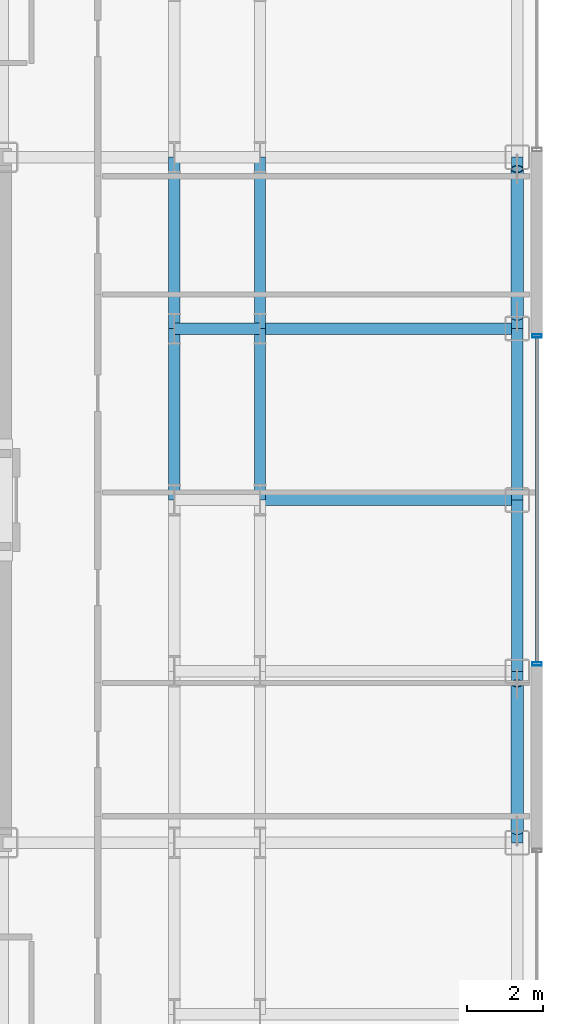
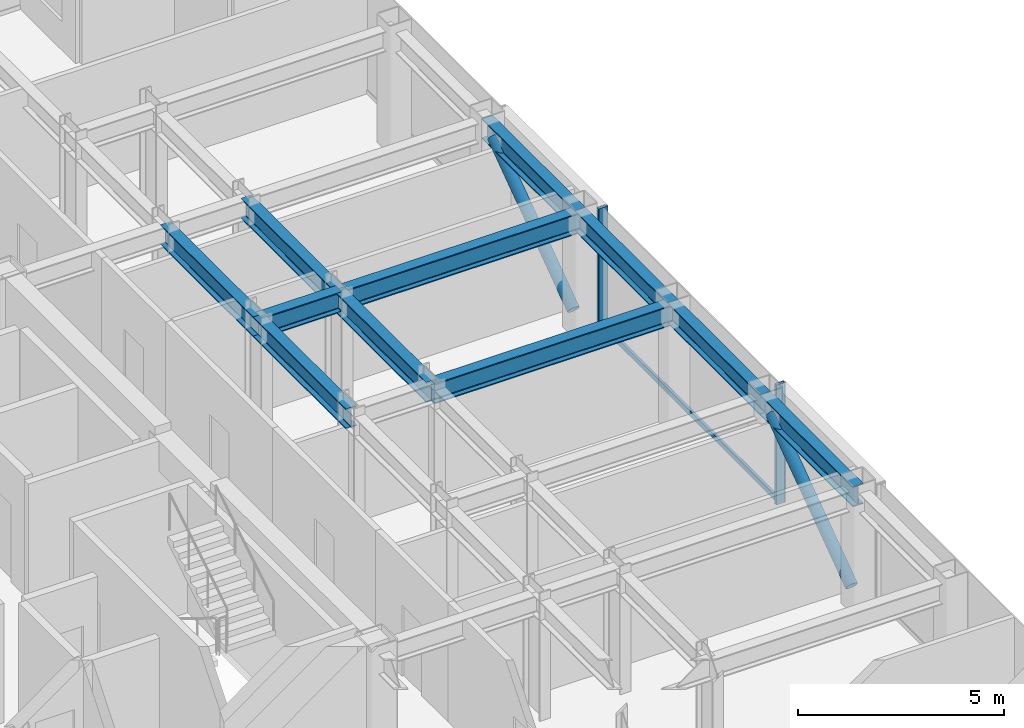
# One storey, part 8 of 22: 11 beams, 5 members, 1 element without a shape of its own.
"""IFC4 building model written with IfcOpenShell, lengths in metres."""

import ifcopenshell
import ifcopenshell.guid

model = None  # the IFC model being written
_history = None  # IfcOwnerHistory: only IFC2X3 demands one
_inside = {}  # id of a spatial element -> (the spatial element, [elements in it])
_under = {}  # id of a project, library or spatial element -> (it, [spatial elements below it])
_declared = {}  # id of a project -> (the project, [libraries it declares])
_typed = {}  # id of a type object -> (the type object, [elements of that type])
_made_of = {}  # id of a material, layer set ... -> (it, [elements and type objects made of it])


def new_model(schema):
    """Start an empty IFC model of exactly this schema.

    Asked for "IFC4X3", IfcOpenShell would pick the latest addendum, in which some entities
    have other attributes; the version numbers below select the first issue.
    IFC2X3 requires an IfcOwnerHistory on every rooted entity: one is made here for all.
    """
    global model, _history
    if schema == "IFC4X3":
        model = ifcopenshell.file(schema_version=(4, 3, 0, 0))
    else:
        model = ifcopenshell.file(schema=schema)
    _inside.clear()
    _under.clear()
    _declared.clear()
    _typed.clear()
    _made_of.clear()
    _history = None
    if model.schema == "IFC2X3":
        org = make("IfcOrganization", Name="unknown")
        user = make(
            "IfcPersonAndOrganization",
            ThePerson=make("IfcPerson", FamilyName="unknown"),
            TheOrganization=org,
        )
        app = make(
            "IfcApplication",
            ApplicationDeveloper=org,
            Version="unknown",
            ApplicationFullName="unknown",
            ApplicationIdentifier="unknown",
        )
        _history = make(
            "IfcOwnerHistory",
            OwningUser=user,
            OwningApplication=app,
            ChangeAction="ADDED",
            CreationDate=0,
        )
    return model


def make(cls, **values):
    """One entity of the class cls with the attributes given. An attribute that is None is left unset."""
    return model.create_entity(
        cls, **{name: value for name, value in values.items() if value is not None}
    )


def rooted(cls, **values):
    """An entity with a GlobalId (a new one), such as an element, a storey or a relation."""
    return make(cls, GlobalId=ifcopenshell.guid.new(), OwnerHistory=_history, **values)


def si_unit(unit_type, name, prefix=None):
    """IfcSIUnit, for example si_unit("LENGTHUNIT", "METRE", prefix="MILLI")."""
    return make("IfcSIUnit", UnitType=unit_type, Prefix=prefix, Name=name)


def assignment(units):
    """IfcUnitAssignment: the units of a project."""
    return None if units is None else make("IfcUnitAssignment", Units=units)


def point(xyz):
    """IfcCartesianPoint."""
    return None if xyz is None else make("IfcCartesianPoint", Coordinates=xyz)


def direction(xyz):
    """IfcDirection."""
    return None if xyz is None else make("IfcDirection", DirectionRatios=xyz)


def frame(location, z_axis=None, x_axis=None):
    """IfcAxis2Placement3D, a coordinate frame: its origin and axes. An axis left out is left unset."""
    return make(
        "IfcAxis2Placement3D",
        Location=point(location),
        Axis=direction(z_axis),
        RefDirection=direction(x_axis),
    )


def frame_2d(location, x_axis=None):
    """IfcAxis2Placement2D, a coordinate frame in the plane: its origin and x axis."""
    return make(
        "IfcAxis2Placement2D", Location=point(location), RefDirection=direction(x_axis)
    )


def origin():
    """The frame at (0, 0, 0) with its axes left unset."""
    return frame((0.0, 0.0, 0.0))


def origin_2d():
    """The frame at (0, 0) in the plane with its x axis left unset."""
    return frame_2d((0.0, 0.0))


def place(relative_to, where):
    """IfcLocalPlacement: puts the frame where relative to a parent placement (None: the world)."""
    return make(
        "IfcLocalPlacement", PlacementRelTo=relative_to, RelativePlacement=where
    )


def context(
    kind, dimensions, precision=None, world=None, true_north=None, identifier=None
):
    """IfcGeometricRepresentationContext, for example the 3D "Model" context."""
    return make(
        "IfcGeometricRepresentationContext",
        ContextIdentifier=identifier,
        ContextType=kind,
        CoordinateSpaceDimension=dimensions,
        Precision=precision,
        WorldCoordinateSystem=world,
        TrueNorth=true_north,
    )


def subcontext(parent, identifier, kind, view, scale=None):
    """IfcGeometricRepresentationSubContext, for example "Body" below "Model"."""
    return make(
        "IfcGeometricRepresentationSubContext",
        ContextIdentifier=identifier,
        ContextType=kind,
        ParentContext=parent,
        TargetScale=scale,
        TargetView=view,
    )


def project(units=None, contexts=None):
    """IfcProject with its units and contexts."""
    return rooted(
        "IfcProject",
        Name="project",
        RepresentationContexts=contexts,
        UnitsInContext=assignment(units),
    )


def spatial(cls, under=None, at=None, **own):
    """A site, building, storey or space (cls), placed at a placement, below another one or the project."""
    s = rooted(cls, ObjectPlacement=at, **own)
    if under is not None:
        _under.setdefault(under.id(), (under, []))[1].append(s)
    return s


def profile(cls, at=None, kind="AREA", **sizes):
    """A parametric profile (cls). Its sizes go by their IFC names, for example OverallWidth=200.0."""
    return make(cls, ProfileType=kind, Position=at, **sizes)


def hollow_rectangle(**sizes):
    """IfcRectangleHollowProfileDef."""
    return profile("IfcRectangleHollowProfileDef", **sizes)


def hollow_circle(**sizes):
    """IfcCircleHollowProfileDef."""
    return profile("IfcCircleHollowProfileDef", **sizes)


def i_section(**sizes):
    """IfcIShapeProfileDef."""
    return profile("IfcIShapeProfileDef", **sizes)


def extrude(swept, where, along, depth):
    """IfcExtrudedAreaSolid: the profile swept, set in the frame where, extruded along a direction by depth."""
    return make(
        "IfcExtrudedAreaSolid",
        SweptArea=swept,
        Position=where,
        ExtrudedDirection=direction(along),
        Depth=depth,
    )


def shape(context_of_items, identifier, shape_type, items):
    """IfcShapeRepresentation: the items that make up one representation, for example the "Body"."""
    return make(
        "IfcShapeRepresentation",
        ContextOfItems=context_of_items,
        RepresentationIdentifier=identifier,
        RepresentationType=shape_type,
        Items=items,
    )


def source(mapping_origin, context_of_items, identifier, shape_type, items):
    """IfcRepresentationMap: a shape defined once, which mapped items show again and again."""
    return make(
        "IfcRepresentationMap",
        MappingOrigin=mapping_origin,
        MappedRepresentation=shape(context_of_items, identifier, shape_type, items),
    )


def transform(
    local_origin,
    x_axis=None,
    y_axis=None,
    z_axis=None,
    scale=None,
    scale2=None,
    scale3=None,
    uniform=True,
):
    """IfcCartesianTransformationOperator3D, or its non-uniform kind. x_axis, y_axis, z_axis: its Axis1, 2, 3."""
    if uniform:
        return make(
            "IfcCartesianTransformationOperator3D",
            Axis1=direction(x_axis),
            Axis2=direction(y_axis),
            LocalOrigin=point(local_origin),
            Scale=scale,
            Axis3=direction(z_axis),
        )
    return make(
        "IfcCartesianTransformationOperator3DnonUniform",
        Axis1=direction(x_axis),
        Axis2=direction(y_axis),
        LocalOrigin=point(local_origin),
        Scale=scale,
        Axis3=direction(z_axis),
        Scale2=scale2,
        Scale3=scale3,
    )


def mapped(mapping_source, mapping_target):
    """IfcMappedItem: shows the shape of a source again, moved by a transform."""
    return make(
        "IfcMappedItem", MappingSource=mapping_source, MappingTarget=mapping_target
    )


def material(Name=None, Category=None):
    """IfcMaterial."""
    return make("IfcMaterial", Name=Name, Category=Category)


def layer(
    of_material, thickness, ventilated=None, Name=None, Category=None, Priority=None
):
    """IfcMaterialLayer: one layer of a wall or slab, of a material (None: an air gap)."""
    return make(
        "IfcMaterialLayer",
        Material=of_material,
        LayerThickness=thickness,
        IsVentilated=ventilated,
        Name=Name,
        Category=Category,
        Priority=Priority,
    )


def layer_set(layers, Name=None):
    """IfcMaterialLayerSet."""
    return make("IfcMaterialLayerSet", MaterialLayers=layers, LayerSetName=Name)


def material_profile(
    of_material, cross_section, Name=None, Category=None, Priority=None
):
    """IfcMaterialProfile: a cross section and its material."""
    return make(
        "IfcMaterialProfile",
        Name=Name,
        Material=of_material,
        Profile=cross_section,
        Priority=Priority,
        Category=Category,
    )


def profile_set(profiles, Name=None, composite=None):
    """IfcMaterialProfileSet."""
    return make(
        "IfcMaterialProfileSet",
        Name=Name,
        MaterialProfiles=profiles,
        CompositeProfile=composite,
    )


def made_of(thing, what):
    """Note that an element or type object is made of a material, layer set ...; save() writes the relation."""
    if what is not None:
        _made_of.setdefault(what.id(), (what, []))[1].append(thing)
    return thing


def type_object(cls, material=None, **own):
    """A type object (cls), such as IfcWallType, which elements share."""
    return made_of(rooted(cls, **own), material)


def element(
    cls,
    number,
    at=None,
    inside=None,
    cuts=None,
    type_object=None,
    material=None,
    context=None,
    identifier="Body",
    shape_type=None,
    held_by="IfcProductDefinitionShape",
    body=None,
    shapes=None,
    **own,
):
    """One element of the class cls, such as IfcWall. Its Tag is "e" and its number.

    at: its placement. inside: the storey or other place that contains it. cuts: it is an
    opening in that element (IfcRelVoidsElement). A single representation is given by context,
    identifier, shape_type and body (its items); several are given by shapes. held_by: the class
    of the entity that holds the representations. save() writes the other relations.
    """
    e = rooted(cls, Tag="e%d" % number, ObjectPlacement=at, **own)
    if body is not None:
        shapes = [shape(context, identifier, shape_type, body)]
    if shapes is not None:
        e.Representation = make(held_by, Representations=shapes)
    if inside is not None:
        _inside.setdefault(inside.id(), (inside, []))[1].append(e)
    if cuts is not None:
        rooted(
            "IfcRelVoidsElement", RelatingBuildingElement=cuts, RelatedOpeningElement=e
        )
    if type_object is not None:
        _typed.setdefault(type_object.id(), (type_object, []))[1].append(e)
    return made_of(e, material)


def aggregate(whole, parts):
    """IfcRelAggregates: a whole, such as a stair, and the parts it consists of."""
    return rooted("IfcRelAggregates", RelatingObject=whole, RelatedObjects=parts)


def save(model, path):
    """Write the relations noted so far, then the file.

    IfcRelAggregates (storeys below a building ...), IfcRelContainedInSpatialStructure (elements
    in a storey), IfcRelDefinesByType, IfcRelAssociatesMaterial and IfcRelDeclares: one each for
    every whole, place, type object, material and project.
    """
    for whole, parts in _under.values():
        aggregate(whole, parts)
    for where, things in _inside.values():
        rooted(
            "IfcRelContainedInSpatialStructure",
            RelatedElements=things,
            RelatingStructure=where,
        )
    for kind, things in _typed.values():
        rooted("IfcRelDefinesByType", RelatedObjects=things, RelatingType=kind)
    for what, things in _made_of.values():
        rooted("IfcRelAssociatesMaterial", RelatedObjects=things, RelatingMaterial=what)
    for by, libraries in _declared.values():
        rooted("IfcRelDeclares", RelatingContext=by, RelatedDefinitions=libraries)
    model.write(path)


model = new_model("IFC4")

# Units and contexts
model_context = context("Model", 3, precision=1e-05, world=origin(), true_north=direction((0.0, 1.0)))
body_context = subcontext(model_context, "Body", "Model", "MODEL_VIEW")
ifc_project = project(units=[si_unit("LENGTHUNIT", "METRE"), si_unit("AREAUNIT", "SQUARE_METRE"), si_unit("VOLUMEUNIT", "CUBIC_METRE"), si_unit("PLANEANGLEUNIT", "RADIAN"), si_unit("MASSUNIT", "GRAM", prefix="KILO")], contexts=[model_context])

# Site, building, storey
site_placement = place(None, origin())
site = spatial("IfcSite", under=ifc_project, at=site_placement, CompositionType="ELEMENT")
building_placement = place(site_placement, origin())
building = spatial("IfcBuilding", under=site, at=building_placement, Name="Nefas-Gora Pilgrimage Tower", CompositionType="ELEMENT")
storey_placement = place(building_placement, frame((0.0, 0.0, 240.800048828125)))
storey = spatial("IfcBuildingStorey", under=building, at=storey_placement, Name="L60", CompositionType="ELEMENT", Elevation=240.800048828125)

# Beams
ifc_material_1 = material(Name="Steel S355", Category="steel")
ifc_material_profile_1 = material_profile(ifc_material_1, i_section(OverallWidth=0.300048828125, OverallDepth=0.60009765625, WebThickness=0.015380859375, FlangeThickness=0.030029296875, FilletRadius=0.027099609375, at=origin_2d()), Name="HEB 600")
ifc_profile_set_1 = profile_set([ifc_material_profile_1], Name="Steel S355")
beam_type_1 = type_object("IfcBeamType", Name="BM-SPN-HEB450", PredefinedType="SPANDREL", material=ifc_profile_set_1)
shared_shape_1 = source(origin(), body_context, "Body", "SweptSolid", [
    extrude(i_section(OverallWidth=0.300048828125, OverallDepth=0.60009765625, WebThickness=0.015380859375, FlangeThickness=0.030029296875, FilletRadius=0.027099609375, at=origin_2d()), origin(), (0.0, 0.0, 1.0), 4.5),
])
for number, where, z_axis, x_axis, name in (
    (1, (24.75, -9.0, 3.25), (0.0, 1.0, 0.0), (-1.0, 0.0, 0.0), "L60 SP-03 beam"),
    (2, (24.75, -4.5, 3.25), (0.0, 1.0, 0.0), (-1.0, 0.0, 0.0), "L60 SP-03 beam"),
    (3, (24.75, 0.0, 3.25), (0.0, 1.0, 0.0), (-1.0, 0.0, 0.0), "L60 SP-03 beam"),
    (4, (24.75, 4.5, 3.25), (0.0, 1.0, 0.0), (-1.0, 0.0, 0.0), "L60 SP-03 beam"),
):
    element("IfcBeam", number, at=place(storey_placement, frame(where, z_axis=z_axis, x_axis=x_axis)), inside=storey, type_object=beam_type_1, Name=name, PredefinedType="SPANDREL", context=body_context, shape_type="MappedRepresentation", body=[
        mapped(shared_shape_1, transform((0.0, 0.0, 0.0), x_axis=(1.0, 0.0, 0.0), y_axis=(0.0, 1.0, 0.0), z_axis=(0.0, 0.0, 1.0), scale=1.0)),
    ])
ifc_material_profile_2 = material_profile(ifc_material_1, i_section(OverallWidth=0.300048828125, OverallDepth=0.60009765625, WebThickness=0.015380859375, FlangeThickness=0.030029296875, FilletRadius=0.027099609375, at=origin_2d()), Name="HEB 600")
ifc_profile_set_2 = profile_set([ifc_material_profile_2], Name="Steel S355")
beam_type_2 = type_object("IfcBeamType", Name="BM-GIR-HEB600", PredefinedType="BEAM", material=ifc_profile_set_2)
shared_shape_2 = source(origin(), body_context, "Body", "SweptSolid", [
    extrude(i_section(OverallWidth=0.300048828125, OverallDepth=0.60009765625, WebThickness=0.015380859375, FlangeThickness=0.030029296875, FilletRadius=0.027099609375, at=origin_2d()), origin(), (0.0, 0.0, 1.0), 4.5),
])
for number, where, z_axis, x_axis, name in (
    (5, (15.75, 0.0, 3.25), (0.0, 1.0, 0.0), (-1.0, 0.0, 0.0), "L60 G-04 beam"),
    (6, (15.75, 4.5, 3.25), (0.0, 1.0, 0.0), (-1.0, 0.0, 0.0), "L60 G-04 beam"),
    (7, (18.0, 0.0, 3.25), (0.0, 1.0, 0.0), (-1.0, 0.0, 0.0), "L60 G-04 beam"),
    (8, (18.0, 4.5, 3.25), (0.0, 1.0, 0.0), (-1.0, 0.0, 0.0), "L60 G-04 beam"),
):
    element("IfcBeam", number, at=place(storey_placement, frame(where, z_axis=z_axis, x_axis=x_axis)), inside=storey, type_object=beam_type_2, Name=name, PredefinedType="BEAM", context=body_context, shape_type="MappedRepresentation", body=[
        mapped(shared_shape_2, transform((0.0, 0.0, 0.0), x_axis=(1.0, 0.0, 0.0), y_axis=(0.0, 1.0, 0.0), z_axis=(0.0, 0.0, 1.0), scale=1.0)),
    ])
shared_shape_3 = source(origin(), body_context, "Body", "SweptSolid", [
    extrude(i_section(OverallWidth=0.300048828125, OverallDepth=0.60009765625, WebThickness=0.015380859375, FlangeThickness=0.030029296875, FilletRadius=0.027099609375, at=origin_2d()), origin(), (0.0, 0.0, 1.0), 6.75),
])
for number, where, z_axis, x_axis, name in (
    (9, (18.0, 0.0, 3.25), (1.0, 0.0, 0.0), (0.0, 1.0, 0.0), "L60 G-04 beam"),
    (10, (18.0, 4.5, 3.25), (1.0, 0.0, 0.0), (0.0, 1.0, 0.0), "L60 G-04 beam"),
):
    element("IfcBeam", number, at=place(storey_placement, frame(where, z_axis=z_axis, x_axis=x_axis)), inside=storey, type_object=beam_type_2, Name=name, PredefinedType="BEAM", context=body_context, shape_type="MappedRepresentation", body=[
        mapped(shared_shape_3, transform((0.0, 0.0, 0.0), x_axis=(1.0, 0.0, 0.0), y_axis=(0.0, 1.0, 0.0), z_axis=(0.0, 0.0, 1.0), scale=1.0)),
    ])
shared_shape_4 = source(origin(), body_context, "Body", "SweptSolid", [
    extrude(i_section(OverallWidth=0.300048828125, OverallDepth=0.60009765625, WebThickness=0.015380859375, FlangeThickness=0.030029296875, FilletRadius=0.027099609375, at=origin_2d()), origin(), (0.0, 0.0, 1.0), 2.25),
])
beam_placement = place(storey_placement, frame((15.75, 4.5, 3.25), z_axis=(1.0, 0.0, 0.0), x_axis=(0.0, 1.0, 0.0)))
element("IfcBeam", 11, at=beam_placement, inside=storey, type_object=beam_type_2, Name="L60 G-04 beam", PredefinedType="BEAM", context=body_context, shape_type="MappedRepresentation", body=[
    mapped(shared_shape_4, transform((0.0, 0.0, 0.0), x_axis=(1.0, 0.0, 0.0), y_axis=(0.0, 1.0, 0.0), z_axis=(0.0, 0.0, 1.0), scale=1.0)),
])

# Members
ifc_material_profile_3 = material_profile(ifc_material_1, hollow_circle(Radius=0.161865234375, WallThickness=0.02001953125, at=origin_2d()), Name="CHS 323.9x20")
ifc_profile_set_3 = profile_set([ifc_material_profile_3], Name="Steel S355")
member_type_1 = type_object("IfcMemberType", Name="MEM-TUBE-324", PredefinedType="BRACE", material=ifc_profile_set_3)
shared_shape_5 = source(origin(), body_context, "Body", "SweptSolid", [
    extrude(hollow_circle(Radius=0.161865234375, WallThickness=0.02001953125, at=origin_2d()), origin(), (0.0, 0.0, 1.0), 4.763671875),
])
for number, where, z_axis, x_axis, name in (
    (12, (24.75, -8.68701171875, 0.3740234375), (0.0, 0.813255312614, 0.581907034246), (-1.0, 0.0, 0.0), "L60 Perimeter Tube Diagonal Brace E1"),
    (13, (24.75, 4.81298828125, 0.3740234375), (0.0, 0.813255312614, 0.581907034246), (-1.0, 0.0, 0.0), "L60 Perimeter Tube Diagonal Brace E2"),
):
    element("IfcMember", number, at=place(storey_placement, frame(where, z_axis=z_axis, x_axis=x_axis)), inside=storey, type_object=member_type_1, Name=name, PredefinedType="BRACE", context=body_context, shape_type="MappedRepresentation", body=[
        mapped(shared_shape_5, transform((0.0, 0.0, 0.0), x_axis=(1.0, 0.0, 0.0), y_axis=(0.0, 1.0, 0.0), z_axis=(0.0, 0.0, 1.0), scale=1.0)),
    ])

# Curtain wall, members
ifc_material_2 = material(Name="Dark ceramic-fritted solar-control aluminium-glass curtain wall", Category="aluminium")
ifc_layer = layer(ifc_material_2, 0.219970703125)
ifc_layer_set = layer_set([ifc_layer], Name="Dark ceramic-fritted solar-control aluminium-glass curtain wall")
curtain_wall_type = type_object("IfcCurtainWallType", Name="CW-SYS-3", PredefinedType="NOTDEFINED", material=ifc_layer_set)
curtain_wall_placement = place(storey_placement, origin())
curtain_wall = element("IfcCurtainWall", 14, at=curtain_wall_placement, inside=storey, type_object=curtain_wall_type, Name="L60 Unitised Curtain Wall CW3", PredefinedType="NOTDEFINED")
ifc_material_3 = material(Name="Anodised architectural aluminium", Category="aluminium")
ifc_material_profile_4 = material_profile(ifc_material_3, hollow_rectangle(XDim=0.090087890625, YDim=0.260009765625, WallThickness=0.006103515625, InnerFilletRadius=0.006103515625, OuterFilletRadius=0.011962890625, at=origin_2d()), Name="ALU MULLION 90x260")
ifc_profile_set_4 = profile_set([ifc_material_profile_4], Name="Anodised architectural aluminium")
member_type_2 = type_object("IfcMemberType", Name="CWM-MUL-3", PredefinedType="MULLION", material=ifc_profile_set_4)
shared_shape_6 = source(origin(), body_context, "Body", "SweptSolid", [
    extrude(hollow_rectangle(XDim=0.090087890625, YDim=0.260009765625, WallThickness=0.006103515625, InnerFilletRadius=0.006103515625, OuterFilletRadius=0.011962890625, at=origin_2d()), origin(), (0.0, 0.0, 1.0), 3.550048828125),
])
member_1_placement = place(storey_placement, frame((25.27001953125, -4.304931640625, 0.0), z_axis=(0.0, 0.0, 1.0), x_axis=(0.0, 1.0, 0.0)))
member_1 = element("IfcMember", 15, at=member_1_placement, type_object=member_type_2, Name="CW3 Mullion 1", PredefinedType="MULLION", context=body_context, shape_type="MappedRepresentation", body=[
    mapped(shared_shape_6, transform((0.0, 0.0, 0.0), x_axis=(1.0, 0.0, 0.0), y_axis=(0.0, 1.0, 0.0), z_axis=(0.0, 0.0, 1.0), scale=1.0)),
])
member_2_placement = place(storey_placement, frame((25.27001953125, 4.304931640625, 0.0), z_axis=(0.0, 0.0, 1.0), x_axis=(0.0, 1.0, 0.0)))
member_2 = element("IfcMember", 16, at=member_2_placement, type_object=member_type_2, Name="CW3 Mullion 2", PredefinedType="MULLION", context=body_context, shape_type="MappedRepresentation", body=[
    mapped(shared_shape_6, transform((0.0, 0.0, 0.0), x_axis=(1.0, 0.0, 0.0), y_axis=(0.0, 1.0, 0.0), z_axis=(0.0, 0.0, 1.0), scale=1.0)),
])
ifc_material_profile_5 = material_profile(ifc_material_3, hollow_rectangle(XDim=0.080078125, YDim=0.159912109375, WallThickness=0.00439453125, InnerFilletRadius=0.00439453125, OuterFilletRadius=0.009033203125, at=origin_2d()), Name="ALU TRANSOM 80x160")
ifc_profile_set_5 = profile_set([ifc_material_profile_5], Name="Anodised architectural aluminium")
member_type_3 = type_object("IfcMemberType", Name="CWM-TRN-3", PredefinedType="USERDEFINED", material=ifc_profile_set_5)
shared_shape_7 = source(origin(), body_context, "Body", "SweptSolid", [
    extrude(hollow_rectangle(XDim=0.080078125, YDim=0.159912109375, WallThickness=0.00439453125, InnerFilletRadius=0.00439453125, OuterFilletRadius=0.009033203125, at=origin_2d()), origin(), (0.0, 0.0, 1.0), 8.52001953125),
])
member_3_placement = place(storey_placement, frame((25.27001953125, -4.260009765625, 0.050048828125), z_axis=(0.0, 1.0, 0.0), x_axis=(-1.0, 0.0, 0.0)))
member_3 = element("IfcMember", 17, at=member_3_placement, type_object=member_type_3, Name="CW3 Spandrel Transom", ObjectType="TRANSOM", PredefinedType="USERDEFINED", context=body_context, shape_type="MappedRepresentation", body=[
    mapped(shared_shape_7, transform((0.0, 0.0, 0.0), x_axis=(1.0, 0.0, 0.0), y_axis=(0.0, 1.0, 0.0), z_axis=(0.0, 0.0, 1.0), scale=1.0)),
])
aggregate(curtain_wall, [member_1, member_2, member_3])

save(model, "model.ifc")
